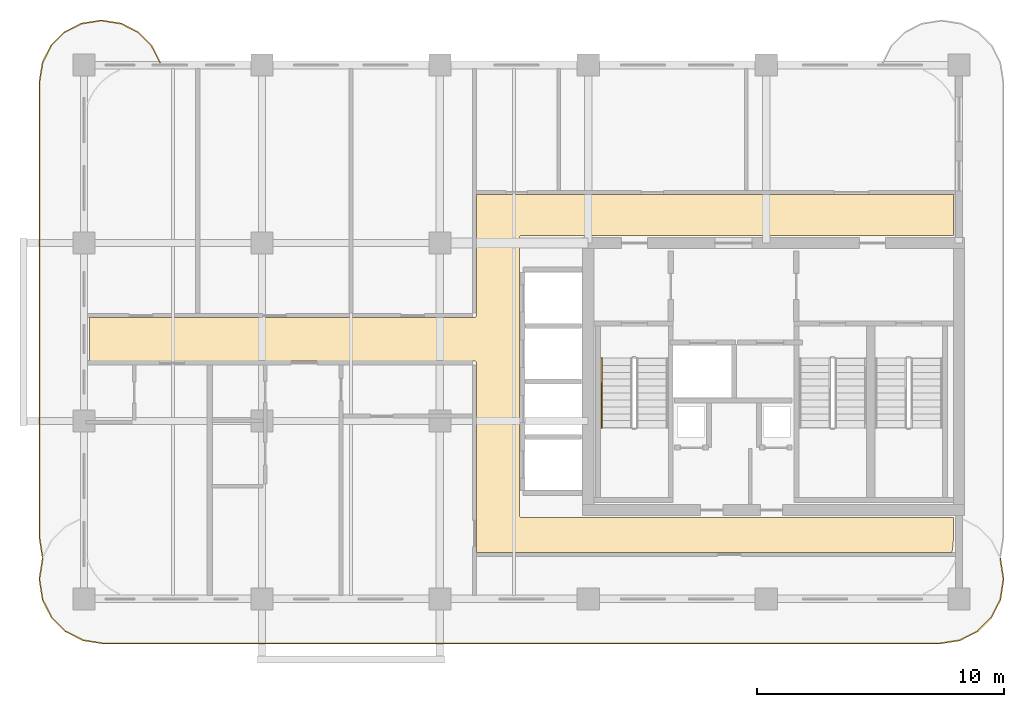
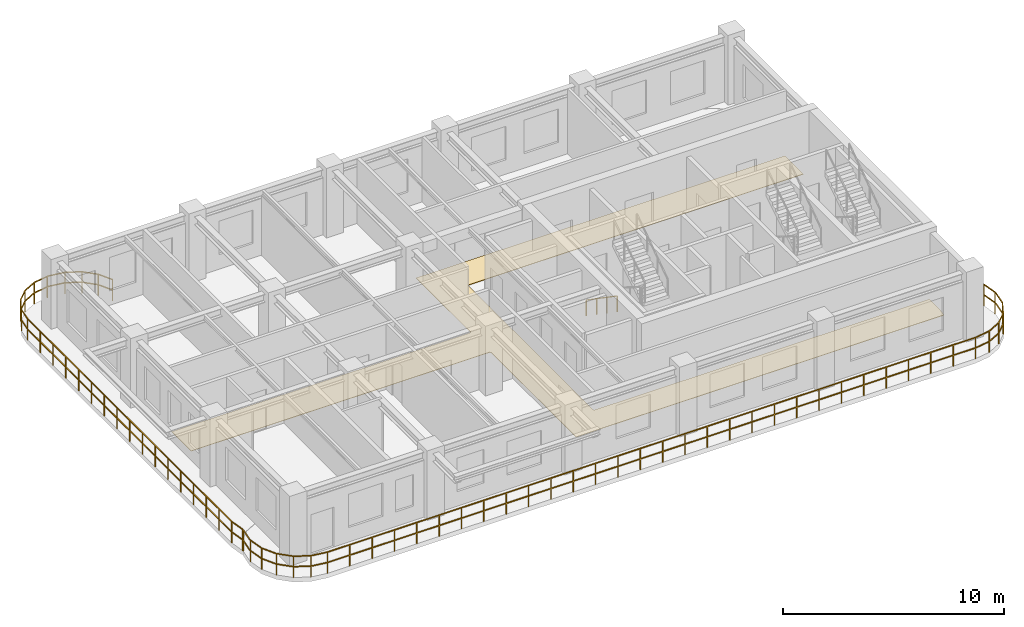
# One storey, part 6 of 7: 3 railings, 1 covering.
"""IFC4 building model written with IfcOpenShell, lengths in metres."""

from ifc_helpers import new_model, si_unit, derived_unit, direction, frame, origin, origin_2d, place, context, subcontext, project, spatial, polyline, rectangle, outline, extrude, material, layer, layer_set, type_object, element, save


model = new_model("IFC4")

# Units and contexts
model_context = context("Model", 3, precision=1e-05, world=origin(), true_north=direction((0.0, 1.0)))
body_context = subcontext(model_context, "Body", "Model", "MODEL_VIEW")
ifc_project = project(units=[si_unit("LENGTHUNIT", "METRE"), si_unit("AREAUNIT", "SQUARE_METRE"), si_unit("VOLUMEUNIT", "CUBIC_METRE"), si_unit("PLANEANGLEUNIT", "RADIAN"), si_unit("MASSUNIT", "GRAM", prefix="KILO"), si_unit("THERMODYNAMICTEMPERATUREUNIT", "KELVIN"), si_unit("POWERUNIT", "WATT"), derived_unit("THERMALTRANSMITTANCEUNIT", [(si_unit("POWERUNIT", "WATT"), 1), (si_unit("AREAUNIT", "SQUARE_METRE"), -1), (si_unit("THERMODYNAMICTEMPERATUREUNIT", "KELVIN"), -1)])], contexts=[model_context])

# Site, building, storey
site_placement = place(None, origin())
site = spatial("IfcSite", under=ifc_project, at=site_placement, CompositionType="ELEMENT")
building_placement = place(site_placement, origin())
building = spatial("IfcBuilding", under=site, at=building_placement, Name="Zahravan Archway Hotel and Residences", CompositionType="ELEMENT")
storey_placement = place(building_placement, frame((0.0, 0.0, 244.25)))
storey = spatial("IfcBuildingStorey", under=building, at=storey_placement, Name="L61", CompositionType="ELEMENT", Elevation=244.25)

# Covering
ifc_material_1 = material(Name="Engineered Walnut Parquet Flooring")
ifc_layer = layer(ifc_material_1, 0.02197265625, Name="Engineered Walnut Parquet Flooring")
ifc_layer_set = layer_set([ifc_layer], Name="Engineered Walnut Parquet Flooring")
covering_type = type_object("IfcCoveringType", Name="COV-FLR-TIMB", PredefinedType="FLOORING", material=ifc_layer_set)
covering_placement = place(storey_placement, origin())
element("IfcCovering", 1, at=covering_placement, inside=storey, type_object=covering_type, Name="L61 Circulation Floor Finish", PredefinedType="FLOORING", context=body_context, shape_type="SweptSolid", body=[
    extrude(outline(polyline([(30.215576171875, 11.3916015625), (30.256591796875, 11.413330078125), (30.278564453125, 11.454345703125), (30.280029296875, 16.3701171875), (49.580078125, 16.3701171875), (49.580078125, 14.705078125), (32.10009765625, 14.705078125), (32.0556640625, 14.69140625), (32.026123046875, 14.655517578125), (32.02001953125, 3.375), (32.033447265625, 3.33056640625), (32.0693359375, 3.301025390625), (49.580078125, 3.294921875), (49.580078125, 2.410888671875), (49.537109375, 1.974853515625), (49.50830078125, 1.8798828125), (30.280029296875, 1.8798828125), (30.280029296875, 9.550048828125), (30.2666015625, 9.594482421875), (30.230712890625, 9.623779296875), (14.6201171875, 9.6298828125), (14.6201171875, 11.389892578125), (30.199951171875, 11.389892578125), (30.215576171875, 11.3916015625)])), origin(), (0.0, 0.0, 1.0), 0.02197265625),
])

# Railings
ifc_material_2 = material(Name="Bronze & Laminated Glass Balustrade", Category="glass")
railing_type_1 = type_object("IfcRailingType", Name="RL-BAL-1200", PredefinedType="BALUSTRADE", material=ifc_material_2)
railing_1_placement = place(storey_placement, frame((51.47509765625, 1.637939453125, 0.0)))
element("IfcRailing", 2, at=railing_1_placement, inside=storey, type_object=railing_type_1, Name="L61 Balustrade RL-SLB-BAL-L61-SA-1", PredefinedType="BALUSTRADE", context=body_context, shape_type="SweptSolid", body=[
    extrude(rectangle(XDim=0.048095703125, YDim=0.048095703125, at=origin_2d()), frame((0.0, 0.0, 1.17578125), z_axis=(0.156701202656, -0.987646056584, 0.0), x_axis=(0.987646056584, 0.156701202656, 0.0)), (0.0, 0.0, 1.0), 0.797607421875),
    extrude(rectangle(XDim=0.048095703125, YDim=0.048095703125, at=origin_2d()), frame((0.0, 0.0, 0.60009765625), z_axis=(0.156701202656, -0.987646056584, 0.0), x_axis=(0.987646056584, 0.156701202656, 0.0)), (0.0, 0.0, 1.0), 0.797607421875),
    extrude(rectangle(XDim=0.048095703125, YDim=0.048095703125, at=origin_2d()), frame((0.125, -0.787841796875, 1.17578125), z_axis=(0.0, -1.0, 0.0), x_axis=(1.0, 0.0, 0.0)), (0.0, 0.0, 1.0), 0.10009765625),
    extrude(rectangle(XDim=0.048095703125, YDim=0.048095703125, at=origin_2d()), frame((0.125, -0.787841796875, 0.60009765625), z_axis=(0.0, -1.0, 0.0), x_axis=(1.0, 0.0, 0.0)), (0.0, 0.0, 1.0), 0.10009765625),
    extrude(rectangle(XDim=0.048095703125, YDim=0.048095703125, at=origin_2d()), frame((0.125, -0.887939453125, 1.17578125), z_axis=(-0.156653849773, -0.98765356849, 0.0), x_axis=(0.98765356849, -0.156653849773, 0.0)), (0.0, 0.0, 1.0), 0.7978515625),
    extrude(rectangle(XDim=0.048095703125, YDim=0.048095703125, at=origin_2d()), frame((0.125, -0.887939453125, 0.60009765625), z_axis=(-0.156653849773, -0.98765356849, 0.0), x_axis=(0.98765356849, -0.156653849773, 0.0)), (0.0, 0.0, 1.0), 0.7978515625),
    extrude(rectangle(XDim=0.048095703125, YDim=0.048095703125, at=origin_2d()), frame((0.0, -1.676025390625, 1.17578125), z_axis=(-0.453934952053, -0.891034824967, 0.0), x_axis=(0.891034824967, -0.453934952053, 0.0)), (0.0, 0.0, 1.0), 0.797607421875),
    extrude(rectangle(XDim=0.048095703125, YDim=0.048095703125, at=origin_2d()), frame((0.0, -1.676025390625, 0.60009765625), z_axis=(-0.453934952053, -0.891034824967, 0.0), x_axis=(0.891034824967, -0.453934952053, 0.0)), (0.0, 0.0, 1.0), 0.797607421875),
    extrude(rectangle(XDim=0.048095703125, YDim=0.048095703125, at=origin_2d()), frame((-0.362060546875, -2.38671875, 1.17578125), z_axis=(-0.707106781187, -0.707106781187, 0.0), x_axis=(0.707106781187, -0.707106781187, 0.0)), (0.0, 0.0, 1.0), 0.7978515625),
    extrude(rectangle(XDim=0.048095703125, YDim=0.048095703125, at=origin_2d()), frame((-0.362060546875, -2.38671875, 0.60009765625), z_axis=(-0.707106781187, -0.707106781187, 0.0), x_axis=(0.707106781187, -0.707106781187, 0.0)), (0.0, 0.0, 1.0), 0.7978515625),
    extrude(rectangle(XDim=0.048095703125, YDim=0.048095703125, at=origin_2d()), frame((-0.92626953125, -2.950927734375, 1.17578125), z_axis=(-0.890974108706, -0.454054113091, 0.0), x_axis=(0.454054113091, -0.890974108706, 0.0)), (0.0, 0.0, 1.0), 0.7978515625),
    extrude(rectangle(XDim=0.048095703125, YDim=0.048095703125, at=origin_2d()), frame((-0.92626953125, -2.950927734375, 0.60009765625), z_axis=(-0.890974108706, -0.454054113091, 0.0), x_axis=(0.454054113091, -0.890974108706, 0.0)), (0.0, 0.0, 1.0), 0.7978515625),
    extrude(rectangle(XDim=0.048095703125, YDim=0.048095703125, at=origin_2d()), frame((-1.63720703125, -3.313232421875, 1.17578125), z_axis=(-0.987693380745, -0.156402639467, 0.0), x_axis=(0.156402639467, -0.987693380745, 0.0)), (0.0, 0.0, 1.0), 0.797607421875),
    extrude(rectangle(XDim=0.048095703125, YDim=0.048095703125, at=origin_2d()), frame((-1.63720703125, -3.313232421875, 0.60009765625), z_axis=(-0.987693380745, -0.156402639467, 0.0), x_axis=(0.156402639467, -0.987693380745, 0.0)), (0.0, 0.0, 1.0), 0.797607421875),
    extrude(rectangle(XDim=0.048095703125, YDim=0.048095703125, at=origin_2d()), frame((-2.425048828125, -3.43798828125, 1.17578125), z_axis=(-1.0, 0.0, 0.0), x_axis=(0.0, -1.0, 0.0)), (0.0, 0.0, 1.0), 33.900146484375),
    extrude(rectangle(XDim=0.048095703125, YDim=0.048095703125, at=origin_2d()), frame((-2.425048828125, -3.43798828125, 0.60009765625), z_axis=(-1.0, 0.0, 0.0), x_axis=(0.0, -1.0, 0.0)), (0.0, 0.0, 1.0), 33.900146484375),
    extrude(rectangle(XDim=0.048095703125, YDim=0.048095703125, at=origin_2d()), frame((-36.3251953125, -3.43798828125, 1.17578125), z_axis=(-0.987693380745, 0.156402639467, 0.0), x_axis=(-0.156402639467, -0.987693380745, 0.0)), (0.0, 0.0, 1.0), 0.797607421875),
    extrude(rectangle(XDim=0.048095703125, YDim=0.048095703125, at=origin_2d()), frame((-36.3251953125, -3.43798828125, 0.60009765625), z_axis=(-0.987693380745, 0.156402639467, 0.0), x_axis=(-0.156402639467, -0.987693380745, 0.0)), (0.0, 0.0, 1.0), 0.797607421875),
    extrude(rectangle(XDim=0.048095703125, YDim=0.048095703125, at=origin_2d()), frame((-37.113037109375, -3.313232421875, 1.17578125), z_axis=(-0.890974108706, 0.454054113091, 0.0), x_axis=(-0.454054113091, -0.890974108706, 0.0)), (0.0, 0.0, 1.0), 0.7978515625),
    extrude(rectangle(XDim=0.048095703125, YDim=0.048095703125, at=origin_2d()), frame((-37.113037109375, -3.313232421875, 0.60009765625), z_axis=(-0.890974108706, 0.454054113091, 0.0), x_axis=(-0.454054113091, -0.890974108706, 0.0)), (0.0, 0.0, 1.0), 0.7978515625),
    extrude(rectangle(XDim=0.048095703125, YDim=0.048095703125, at=origin_2d()), frame((-37.823974609375, -2.950927734375, 1.17578125), z_axis=(-0.707106781187, 0.707106781187, 0.0), x_axis=(-0.707106781187, -0.707106781187, 0.0)), (0.0, 0.0, 1.0), 0.7978515625),
    extrude(rectangle(XDim=0.048095703125, YDim=0.048095703125, at=origin_2d()), frame((-37.823974609375, -2.950927734375, 0.60009765625), z_axis=(-0.707106781187, 0.707106781187, 0.0), x_axis=(-0.707106781187, -0.707106781187, 0.0)), (0.0, 0.0, 1.0), 0.7978515625),
    extrude(rectangle(XDim=0.048095703125, YDim=0.048095703125, at=origin_2d()), frame((-38.38818359375, -2.38671875, 1.17578125), z_axis=(-0.453934952053, 0.891034824967, 0.0), x_axis=(-0.891034824967, -0.453934952053, 0.0)), (0.0, 0.0, 1.0), 0.797607421875),
    extrude(rectangle(XDim=0.048095703125, YDim=0.048095703125, at=origin_2d()), frame((-38.38818359375, -2.38671875, 0.60009765625), z_axis=(-0.453934952053, 0.891034824967, 0.0), x_axis=(-0.891034824967, -0.453934952053, 0.0)), (0.0, 0.0, 1.0), 0.797607421875),
    extrude(rectangle(XDim=0.048095703125, YDim=0.048095703125, at=origin_2d()), frame((-38.750244140625, -1.676025390625, 1.17578125), z_axis=(-0.156355372278, 0.987700864412, 0.0), x_axis=(-0.987700864412, -0.156355372278, 0.0)), (0.0, 0.0, 1.0), 0.7978515625),
    extrude(rectangle(XDim=0.048095703125, YDim=0.048095703125, at=origin_2d()), frame((-38.750244140625, -1.676025390625, 0.60009765625), z_axis=(-0.156355372278, 0.987700864412, 0.0), x_axis=(-0.987700864412, -0.156355372278, 0.0)), (0.0, 0.0, 1.0), 0.7978515625),
    extrude(rectangle(XDim=0.048095703125, YDim=0.048095703125, at=origin_2d()), frame((-38.875, -0.887939453125, 1.17578125), z_axis=(0.0, 1.0, 0.0), x_axis=(-1.0, 0.0, 0.0)), (0.0, 0.0, 1.0), 0.10009765625),
    extrude(rectangle(XDim=0.048095703125, YDim=0.048095703125, at=origin_2d()), frame((-38.875, -0.887939453125, 0.60009765625), z_axis=(0.0, 1.0, 0.0), x_axis=(-1.0, 0.0, 0.0)), (0.0, 0.0, 1.0), 0.10009765625),
    extrude(rectangle(XDim=0.048095703125, YDim=0.048095703125, at=origin_2d()), frame((-38.875, -0.787841796875, 1.17578125), z_axis=(0.156402639467, 0.987693380745, 0.0), x_axis=(-0.987693380745, 0.156402639467, 0.0)), (0.0, 0.0, 1.0), 0.797607421875),
    extrude(rectangle(XDim=0.048095703125, YDim=0.048095703125, at=origin_2d()), frame((-38.875, -0.787841796875, 0.60009765625), z_axis=(0.156402639467, 0.987693380745, 0.0), x_axis=(-0.987693380745, 0.156402639467, 0.0)), (0.0, 0.0, 1.0), 0.797607421875),
    extrude(rectangle(XDim=0.0419921875, YDim=0.0419921875, at=origin_2d()), origin(), (0.0, 0.0, 1.0), 1.15185546875),
    extrude(rectangle(XDim=0.0419921875, YDim=0.0419921875, at=origin_2d()), frame((0.125, -0.787841796875, 0.0)), (0.0, 0.0, 1.0), 1.15185546875),
    extrude(rectangle(XDim=0.0419921875, YDim=0.0419921875, at=origin_2d()), frame((0.0, -1.676025390625, 0.0)), (0.0, 0.0, 1.0), 1.15185546875),
    extrude(rectangle(XDim=0.0419921875, YDim=0.0419921875, at=origin_2d()), frame((-0.362060546875, -2.38671875, 0.0)), (0.0, 0.0, 1.0), 1.15185546875),
    extrude(rectangle(XDim=0.0419921875, YDim=0.0419921875, at=origin_2d()), frame((-0.92626953125, -2.950927734375, 0.0)), (0.0, 0.0, 1.0), 1.15185546875),
    extrude(rectangle(XDim=0.0419921875, YDim=0.0419921875, at=origin_2d()), frame((-1.63720703125, -3.313232421875, 0.0)), (0.0, 0.0, 1.0), 1.15185546875),
    extrude(rectangle(XDim=0.0419921875, YDim=0.0419921875, at=origin_2d()), frame((-2.425048828125, -3.43798828125, 0.0)), (0.0, 0.0, 1.0), 1.15185546875),
    extrude(rectangle(XDim=0.0419921875, YDim=0.0419921875, at=origin_2d()), frame((-3.593994140625, -3.43798828125, 0.0)), (0.0, 0.0, 1.0), 1.15185546875),
    extrude(rectangle(XDim=0.0419921875, YDim=0.0419921875, at=origin_2d()), frame((-4.762939453125, -3.43798828125, 0.0)), (0.0, 0.0, 1.0), 1.15185546875),
    extrude(rectangle(XDim=0.0419921875, YDim=0.0419921875, at=origin_2d()), frame((-5.931884765625, -3.43798828125, 0.0)), (0.0, 0.0, 1.0), 1.15185546875),
    extrude(rectangle(XDim=0.0419921875, YDim=0.0419921875, at=origin_2d()), frame((-7.100830078125, -3.43798828125, 0.0)), (0.0, 0.0, 1.0), 1.15185546875),
    extrude(rectangle(XDim=0.0419921875, YDim=0.0419921875, at=origin_2d()), frame((-8.27001953125, -3.43798828125, 0.0)), (0.0, 0.0, 1.0), 1.15185546875),
    extrude(rectangle(XDim=0.0419921875, YDim=0.0419921875, at=origin_2d()), frame((-9.43896484375, -3.43798828125, 0.0)), (0.0, 0.0, 1.0), 1.15185546875),
    extrude(rectangle(XDim=0.0419921875, YDim=0.0419921875, at=origin_2d()), frame((-10.60791015625, -3.43798828125, 0.0)), (0.0, 0.0, 1.0), 1.15185546875),
    extrude(rectangle(XDim=0.0419921875, YDim=0.0419921875, at=origin_2d()), frame((-11.77685546875, -3.43798828125, 0.0)), (0.0, 0.0, 1.0), 1.15185546875),
    extrude(rectangle(XDim=0.0419921875, YDim=0.0419921875, at=origin_2d()), frame((-12.94580078125, -3.43798828125, 0.0)), (0.0, 0.0, 1.0), 1.15185546875),
    extrude(rectangle(XDim=0.0419921875, YDim=0.0419921875, at=origin_2d()), frame((-14.11474609375, -3.43798828125, 0.0)), (0.0, 0.0, 1.0), 1.15185546875),
    extrude(rectangle(XDim=0.0419921875, YDim=0.0419921875, at=origin_2d()), frame((-15.28369140625, -3.43798828125, 0.0)), (0.0, 0.0, 1.0), 1.15185546875),
    extrude(rectangle(XDim=0.0419921875, YDim=0.0419921875, at=origin_2d()), frame((-16.45263671875, -3.43798828125, 0.0)), (0.0, 0.0, 1.0), 1.15185546875),
    extrude(rectangle(XDim=0.0419921875, YDim=0.0419921875, at=origin_2d()), frame((-17.62158203125, -3.43798828125, 0.0)), (0.0, 0.0, 1.0), 1.15185546875),
    extrude(rectangle(XDim=0.0419921875, YDim=0.0419921875, at=origin_2d()), frame((-18.79052734375, -3.43798828125, 0.0)), (0.0, 0.0, 1.0), 1.15185546875),
    extrude(rectangle(XDim=0.0419921875, YDim=0.0419921875, at=origin_2d()), frame((-19.959716796875, -3.43798828125, 0.0)), (0.0, 0.0, 1.0), 1.15185546875),
    extrude(rectangle(XDim=0.0419921875, YDim=0.0419921875, at=origin_2d()), frame((-21.128662109375, -3.43798828125, 0.0)), (0.0, 0.0, 1.0), 1.15185546875),
    extrude(rectangle(XDim=0.0419921875, YDim=0.0419921875, at=origin_2d()), frame((-22.297607421875, -3.43798828125, 0.0)), (0.0, 0.0, 1.0), 1.15185546875),
    extrude(rectangle(XDim=0.0419921875, YDim=0.0419921875, at=origin_2d()), frame((-23.466552734375, -3.43798828125, 0.0)), (0.0, 0.0, 1.0), 1.15185546875),
    extrude(rectangle(XDim=0.0419921875, YDim=0.0419921875, at=origin_2d()), frame((-24.635498046875, -3.43798828125, 0.0)), (0.0, 0.0, 1.0), 1.15185546875),
    extrude(rectangle(XDim=0.0419921875, YDim=0.0419921875, at=origin_2d()), frame((-25.804443359375, -3.43798828125, 0.0)), (0.0, 0.0, 1.0), 1.15185546875),
    extrude(rectangle(XDim=0.0419921875, YDim=0.0419921875, at=origin_2d()), frame((-26.973388671875, -3.43798828125, 0.0)), (0.0, 0.0, 1.0), 1.15185546875),
    extrude(rectangle(XDim=0.0419921875, YDim=0.0419921875, at=origin_2d()), frame((-28.142333984375, -3.43798828125, 0.0)), (0.0, 0.0, 1.0), 1.15185546875),
    extrude(rectangle(XDim=0.0419921875, YDim=0.0419921875, at=origin_2d()), frame((-29.311279296875, -3.43798828125, 0.0)), (0.0, 0.0, 1.0), 1.15185546875),
    extrude(rectangle(XDim=0.0419921875, YDim=0.0419921875, at=origin_2d()), frame((-30.480224609375, -3.43798828125, 0.0)), (0.0, 0.0, 1.0), 1.15185546875),
    extrude(rectangle(XDim=0.0419921875, YDim=0.0419921875, at=origin_2d()), frame((-31.6494140625, -3.43798828125, 0.0)), (0.0, 0.0, 1.0), 1.15185546875),
    extrude(rectangle(XDim=0.0419921875, YDim=0.0419921875, at=origin_2d()), frame((-32.818359375, -3.43798828125, 0.0)), (0.0, 0.0, 1.0), 1.15185546875),
    extrude(rectangle(XDim=0.0419921875, YDim=0.0419921875, at=origin_2d()), frame((-33.9873046875, -3.43798828125, 0.0)), (0.0, 0.0, 1.0), 1.15185546875),
    extrude(rectangle(XDim=0.0419921875, YDim=0.0419921875, at=origin_2d()), frame((-35.15625, -3.43798828125, 0.0)), (0.0, 0.0, 1.0), 1.15185546875),
    extrude(rectangle(XDim=0.0419921875, YDim=0.0419921875, at=origin_2d()), frame((-36.3251953125, -3.43798828125, 0.0)), (0.0, 0.0, 1.0), 1.15185546875),
    extrude(rectangle(XDim=0.0419921875, YDim=0.0419921875, at=origin_2d()), frame((-37.113037109375, -3.313232421875, 0.0)), (0.0, 0.0, 1.0), 1.15185546875),
    extrude(rectangle(XDim=0.0419921875, YDim=0.0419921875, at=origin_2d()), frame((-37.823974609375, -2.950927734375, 0.0)), (0.0, 0.0, 1.0), 1.15185546875),
    extrude(rectangle(XDim=0.0419921875, YDim=0.0419921875, at=origin_2d()), frame((-38.38818359375, -2.38671875, 0.0)), (0.0, 0.0, 1.0), 1.15185546875),
    extrude(rectangle(XDim=0.0419921875, YDim=0.0419921875, at=origin_2d()), frame((-38.750244140625, -1.676025390625, 0.0)), (0.0, 0.0, 1.0), 1.15185546875),
    extrude(rectangle(XDim=0.0419921875, YDim=0.0419921875, at=origin_2d()), frame((-38.875, -0.887939453125, 0.0)), (0.0, 0.0, 1.0), 1.15185546875),
    extrude(rectangle(XDim=0.0419921875, YDim=0.0419921875, at=origin_2d()), frame((-38.750244140625, 0.0, 0.0)), (0.0, 0.0, 1.0), 1.15185546875),
])
railing_2_placement = place(storey_placement, frame((12.719970703125, 1.69287109375, 0.0)))
element("IfcRailing", 3, at=railing_2_placement, inside=storey, type_object=railing_type_1, Name="L61 Balustrade RL-SLB-BAL-L61-WA-1", PredefinedType="BALUSTRADE", context=body_context, shape_type="SweptSolid", body=[
    extrude(rectangle(XDim=0.048095703125, YDim=0.048095703125, at=origin_2d()), frame((0.0, 0.0, 1.17578125), z_axis=(-0.156387811283, 0.987695728695, 0.0), x_axis=(-0.987695728695, -0.156387811283, 0.0)), (0.0, 0.0, 1.0), 0.7666015625),
    extrude(rectangle(XDim=0.048095703125, YDim=0.048095703125, at=origin_2d()), frame((0.0, 0.0, 0.60009765625), z_axis=(-0.156387811283, 0.987695728695, 0.0), x_axis=(-0.987695728695, -0.156387811283, 0.0)), (0.0, 0.0, 1.0), 0.7666015625),
    extrude(rectangle(XDim=0.048095703125, YDim=0.048095703125, at=origin_2d()), frame((-0.119873046875, 0.757080078125, 1.17578125), z_axis=(0.0, 1.0, 0.0), x_axis=(-1.0, 0.0, 0.0)), (0.0, 0.0, 1.0), 18.5),
    extrude(rectangle(XDim=0.048095703125, YDim=0.048095703125, at=origin_2d()), frame((-0.119873046875, 0.757080078125, 0.60009765625), z_axis=(0.0, 1.0, 0.0), x_axis=(-1.0, 0.0, 0.0)), (0.0, 0.0, 1.0), 18.5),
    extrude(rectangle(XDim=0.048095703125, YDim=0.048095703125, at=origin_2d()), frame((-0.119873046875, 19.257080078125, 1.17578125), z_axis=(0.156387811283, 0.987695728695, 0.0), x_axis=(-0.987695728695, 0.156387811283, 0.0)), (0.0, 0.0, 1.0), 0.7666015625),
    extrude(rectangle(XDim=0.048095703125, YDim=0.048095703125, at=origin_2d()), frame((-0.119873046875, 19.257080078125, 0.60009765625), z_axis=(0.156387811283, 0.987695728695, 0.0), x_axis=(-0.987695728695, 0.156387811283, 0.0)), (0.0, 0.0, 1.0), 0.7666015625),
    extrude(rectangle(XDim=0.048095703125, YDim=0.048095703125, at=origin_2d()), frame((0.0, 20.01416015625, 1.17578125), z_axis=(0.453825591531, 0.891090529897, 0.0), x_axis=(-0.891090529897, 0.453825591531, 0.0)), (0.0, 0.0, 1.0), 0.7666015625),
    extrude(rectangle(XDim=0.048095703125, YDim=0.048095703125, at=origin_2d()), frame((0.0, 20.01416015625, 0.60009765625), z_axis=(0.453825591531, 0.891090529897, 0.0), x_axis=(-0.891090529897, 0.453825591531, 0.0)), (0.0, 0.0, 1.0), 0.7666015625),
    extrude(rectangle(XDim=0.048095703125, YDim=0.048095703125, at=origin_2d()), frame((0.347900390625, 20.697265625, 1.17578125), z_axis=(0.707106781187, 0.707106781187, 0.0), x_axis=(-0.707106781187, 0.707106781187, 0.0)), (0.0, 0.0, 1.0), 0.7666015625),
    extrude(rectangle(XDim=0.048095703125, YDim=0.048095703125, at=origin_2d()), frame((0.347900390625, 20.697265625, 0.60009765625), z_axis=(0.707106781187, 0.707106781187, 0.0), x_axis=(-0.707106781187, 0.707106781187, 0.0)), (0.0, 0.0, 1.0), 0.7666015625),
    extrude(rectangle(XDim=0.048095703125, YDim=0.048095703125, at=origin_2d()), frame((0.889892578125, 21.2392578125, 1.17578125), z_axis=(0.891090529897, 0.453825591531, 0.0), x_axis=(-0.453825591531, 0.891090529897, 0.0)), (0.0, 0.0, 1.0), 0.7666015625),
    extrude(rectangle(XDim=0.048095703125, YDim=0.048095703125, at=origin_2d()), frame((0.889892578125, 21.2392578125, 0.60009765625), z_axis=(0.891090529897, 0.453825591531, 0.0), x_axis=(-0.453825591531, 0.891090529897, 0.0)), (0.0, 0.0, 1.0), 0.7666015625),
    extrude(rectangle(XDim=0.048095703125, YDim=0.048095703125, at=origin_2d()), frame((1.572998046875, 21.587158203125, 1.17578125), z_axis=(0.987695728695, 0.156387811283, 0.0), x_axis=(-0.156387811283, 0.987695728695, 0.0)), (0.0, 0.0, 1.0), 0.7666015625),
    extrude(rectangle(XDim=0.048095703125, YDim=0.048095703125, at=origin_2d()), frame((1.572998046875, 21.587158203125, 0.60009765625), z_axis=(0.987695728695, 0.156387811283, 0.0), x_axis=(-0.156387811283, 0.987695728695, 0.0)), (0.0, 0.0, 1.0), 0.7666015625),
    extrude(rectangle(XDim=0.048095703125, YDim=0.048095703125, at=origin_2d()), frame((2.330078125, 21.70703125, 1.17578125), z_axis=(1.0, 0.0, 0.0), x_axis=(0.0, 1.0, 0.0)), (0.0, 0.0, 1.0), 0.099853515625),
    extrude(rectangle(XDim=0.048095703125, YDim=0.048095703125, at=origin_2d()), frame((2.330078125, 21.70703125, 0.60009765625), z_axis=(1.0, 0.0, 0.0), x_axis=(0.0, 1.0, 0.0)), (0.0, 0.0, 1.0), 0.099853515625),
    extrude(rectangle(XDim=0.048095703125, YDim=0.048095703125, at=origin_2d()), frame((2.429931640625, 21.70703125, 1.17578125), z_axis=(0.987695728695, -0.156387811283, 0.0), x_axis=(0.156387811283, 0.987695728695, 0.0)), (0.0, 0.0, 1.0), 0.7666015625),
    extrude(rectangle(XDim=0.048095703125, YDim=0.048095703125, at=origin_2d()), frame((2.429931640625, 21.70703125, 0.60009765625), z_axis=(0.987695728695, -0.156387811283, 0.0), x_axis=(0.156387811283, 0.987695728695, 0.0)), (0.0, 0.0, 1.0), 0.7666015625),
    extrude(rectangle(XDim=0.048095703125, YDim=0.048095703125, at=origin_2d()), frame((3.18701171875, 21.587158203125, 1.17578125), z_axis=(0.891090529897, -0.453825591531, 0.0), x_axis=(0.453825591531, 0.891090529897, 0.0)), (0.0, 0.0, 1.0), 0.7666015625),
    extrude(rectangle(XDim=0.048095703125, YDim=0.048095703125, at=origin_2d()), frame((3.18701171875, 21.587158203125, 0.60009765625), z_axis=(0.891090529897, -0.453825591531, 0.0), x_axis=(0.453825591531, 0.891090529897, 0.0)), (0.0, 0.0, 1.0), 0.7666015625),
    extrude(rectangle(XDim=0.048095703125, YDim=0.048095703125, at=origin_2d()), frame((3.8701171875, 21.2392578125, 1.17578125), z_axis=(0.707106781187, -0.707106781187, 0.0), x_axis=(0.707106781187, 0.707106781187, 0.0)), (0.0, 0.0, 1.0), 0.7666015625),
    extrude(rectangle(XDim=0.048095703125, YDim=0.048095703125, at=origin_2d()), frame((3.8701171875, 21.2392578125, 0.60009765625), z_axis=(0.707106781187, -0.707106781187, 0.0), x_axis=(0.707106781187, 0.707106781187, 0.0)), (0.0, 0.0, 1.0), 0.7666015625),
    extrude(rectangle(XDim=0.048095703125, YDim=0.048095703125, at=origin_2d()), frame((4.412109375, 20.697265625, 1.17578125), z_axis=(0.453825591531, -0.891090529897, 0.0), x_axis=(0.891090529897, 0.453825591531, 0.0)), (0.0, 0.0, 1.0), 0.7666015625),
    extrude(rectangle(XDim=0.048095703125, YDim=0.048095703125, at=origin_2d()), frame((4.412109375, 20.697265625, 0.60009765625), z_axis=(0.453825591531, -0.891090529897, 0.0), x_axis=(0.891090529897, 0.453825591531, 0.0)), (0.0, 0.0, 1.0), 0.7666015625),
    extrude(rectangle(XDim=0.0419921875, YDim=0.0419921875, at=origin_2d()), origin(), (0.0, 0.0, 1.0), 1.15185546875),
    extrude(rectangle(XDim=0.0419921875, YDim=0.0419921875, at=origin_2d()), frame((-0.119873046875, 0.757080078125, 0.0)), (0.0, 0.0, 1.0), 1.15185546875),
    extrude(rectangle(XDim=0.0419921875, YDim=0.0419921875, at=origin_2d()), frame((-0.119873046875, 1.913330078125, 0.0)), (0.0, 0.0, 1.0), 1.15185546875),
    extrude(rectangle(XDim=0.0419921875, YDim=0.0419921875, at=origin_2d()), frame((-0.119873046875, 3.069580078125, 0.0)), (0.0, 0.0, 1.0), 1.15185546875),
    extrude(rectangle(XDim=0.0419921875, YDim=0.0419921875, at=origin_2d()), frame((-0.119873046875, 4.225830078125, 0.0)), (0.0, 0.0, 1.0), 1.15185546875),
    extrude(rectangle(XDim=0.0419921875, YDim=0.0419921875, at=origin_2d()), frame((-0.119873046875, 5.382080078125, 0.0)), (0.0, 0.0, 1.0), 1.15185546875),
    extrude(rectangle(XDim=0.0419921875, YDim=0.0419921875, at=origin_2d()), frame((-0.119873046875, 6.538330078125, 0.0)), (0.0, 0.0, 1.0), 1.15185546875),
    extrude(rectangle(XDim=0.0419921875, YDim=0.0419921875, at=origin_2d()), frame((-0.119873046875, 7.694580078125, 0.0)), (0.0, 0.0, 1.0), 1.15185546875),
    extrude(rectangle(XDim=0.0419921875, YDim=0.0419921875, at=origin_2d()), frame((-0.119873046875, 8.850830078125, 0.0)), (0.0, 0.0, 1.0), 1.15185546875),
    extrude(rectangle(XDim=0.0419921875, YDim=0.0419921875, at=origin_2d()), frame((-0.119873046875, 10.007080078125, 0.0)), (0.0, 0.0, 1.0), 1.15185546875),
    extrude(rectangle(XDim=0.0419921875, YDim=0.0419921875, at=origin_2d()), frame((-0.119873046875, 11.163330078125, 0.0)), (0.0, 0.0, 1.0), 1.15185546875),
    extrude(rectangle(XDim=0.0419921875, YDim=0.0419921875, at=origin_2d()), frame((-0.119873046875, 12.319580078125, 0.0)), (0.0, 0.0, 1.0), 1.15185546875),
    extrude(rectangle(XDim=0.0419921875, YDim=0.0419921875, at=origin_2d()), frame((-0.119873046875, 13.475830078125, 0.0)), (0.0, 0.0, 1.0), 1.15185546875),
    extrude(rectangle(XDim=0.0419921875, YDim=0.0419921875, at=origin_2d()), frame((-0.119873046875, 14.632080078125, 0.0)), (0.0, 0.0, 1.0), 1.15185546875),
    extrude(rectangle(XDim=0.0419921875, YDim=0.0419921875, at=origin_2d()), frame((-0.119873046875, 15.788330078125, 0.0)), (0.0, 0.0, 1.0), 1.15185546875),
    extrude(rectangle(XDim=0.0419921875, YDim=0.0419921875, at=origin_2d()), frame((-0.119873046875, 16.944580078125, 0.0)), (0.0, 0.0, 1.0), 1.15185546875),
    extrude(rectangle(XDim=0.0419921875, YDim=0.0419921875, at=origin_2d()), frame((-0.119873046875, 18.100830078125, 0.0)), (0.0, 0.0, 1.0), 1.15185546875),
    extrude(rectangle(XDim=0.0419921875, YDim=0.0419921875, at=origin_2d()), frame((-0.119873046875, 19.257080078125, 0.0)), (0.0, 0.0, 1.0), 1.15185546875),
    extrude(rectangle(XDim=0.0419921875, YDim=0.0419921875, at=origin_2d()), frame((0.0, 20.01416015625, 0.0)), (0.0, 0.0, 1.0), 1.15185546875),
    extrude(rectangle(XDim=0.0419921875, YDim=0.0419921875, at=origin_2d()), frame((0.347900390625, 20.697265625, 0.0)), (0.0, 0.0, 1.0), 1.15185546875),
    extrude(rectangle(XDim=0.0419921875, YDim=0.0419921875, at=origin_2d()), frame((0.889892578125, 21.2392578125, 0.0)), (0.0, 0.0, 1.0), 1.15185546875),
    extrude(rectangle(XDim=0.0419921875, YDim=0.0419921875, at=origin_2d()), frame((1.572998046875, 21.587158203125, 0.0)), (0.0, 0.0, 1.0), 1.15185546875),
    extrude(rectangle(XDim=0.0419921875, YDim=0.0419921875, at=origin_2d()), frame((2.330078125, 21.70703125, 0.0)), (0.0, 0.0, 1.0), 1.15185546875),
    extrude(rectangle(XDim=0.0419921875, YDim=0.0419921875, at=origin_2d()), frame((3.18701171875, 21.587158203125, 0.0)), (0.0, 0.0, 1.0), 1.15185546875),
    extrude(rectangle(XDim=0.0419921875, YDim=0.0419921875, at=origin_2d()), frame((3.8701171875, 21.2392578125, 0.0)), (0.0, 0.0, 1.0), 1.15185546875),
    extrude(rectangle(XDim=0.0419921875, YDim=0.0419921875, at=origin_2d()), frame((4.412109375, 20.697265625, 0.0)), (0.0, 0.0, 1.0), 1.15185546875),
    extrude(rectangle(XDim=0.0419921875, YDim=0.0419921875, at=origin_2d()), frame((4.760009765625, 20.01416015625, 0.0)), (0.0, 0.0, 1.0), 1.15185546875),
])
ifc_material_3 = material(Name="Brushed Stainless Steel", Category="steel")
railing_type_2 = type_object("IfcRailingType", Name="RL-STH-900", PredefinedType="HANDRAIL", material=ifc_material_3)
railing_3_placement = place(storey_placement, frame((35.35009765625, 9.72998046875, 0.175048828125)))
element("IfcRailing", 4, at=railing_3_placement, inside=storey, type_object=railing_type_2, Name="L61 ST-A1 stair handrail 1", PredefinedType="HANDRAIL", context=body_context, shape_type="SweptSolid", body=[
    extrude(rectangle(XDim=0.048095703125, YDim=0.048095703125, at=origin_2d()), frame((0.0, 0.0, 0.8759765625), z_axis=(0.0, -0.824039827795, 0.566531872191), x_axis=(1.0, 0.0, 0.0)), (0.0, 0.0, 1.0), 3.39794921875),
    extrude(rectangle(XDim=0.0419921875, YDim=0.0419921875, at=origin_2d()), origin(), (0.0, 0.0, 1.0), 0.851806640625),
    extrude(rectangle(XDim=0.0419921875, YDim=0.0419921875, at=origin_2d()), frame((0.0, -0.933349609375, 0.6416015625)), (0.0, 0.0, 1.0), 0.851806640625),
    extrude(rectangle(XDim=0.0419921875, YDim=0.0419921875, at=origin_2d()), frame((0.0, -1.86669921875, 1.283447265625)), (0.0, 0.0, 1.0), 0.851806640625),
    extrude(rectangle(XDim=0.0419921875, YDim=0.0419921875, at=origin_2d()), frame((0.0, -2.800048828125, 1.925048828125)), (0.0, 0.0, 1.0), 0.851806640625),
])

save(model, "model.ifc")
